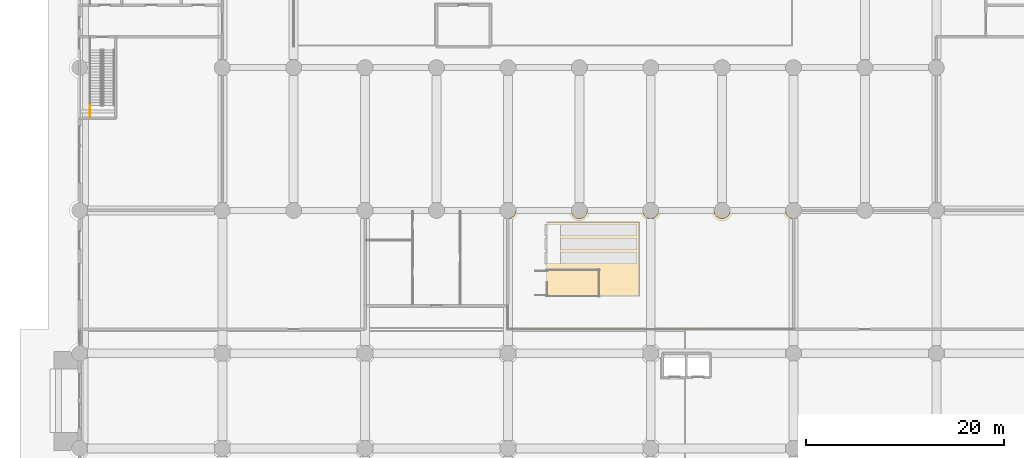
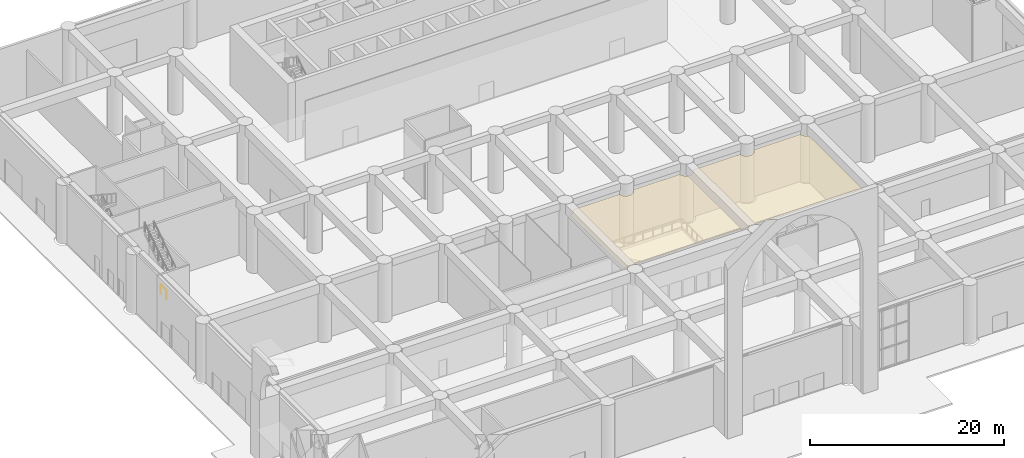
# One storey, part 25 of 32: 1 covering, 1 railing.
"""IFC4 building model written with IfcOpenShell, lengths in metres."""

from ifc_helpers import new_model, si_unit, direction, frame, origin, origin_2d, place, context, subcontext, project, spatial, polyline, circle, outline, extrude, material, layer, layer_set, type_object, element, save


model = new_model("IFC4")

# Units and contexts
model_context = context("Model", 3, precision=1e-05, world=origin(), true_north=direction((0.0, 1.0)))
body_context = subcontext(model_context, "Body", "Model", "MODEL_VIEW")
ifc_project = project(units=[si_unit("LENGTHUNIT", "METRE"), si_unit("AREAUNIT", "SQUARE_METRE"), si_unit("VOLUMEUNIT", "CUBIC_METRE"), si_unit("PLANEANGLEUNIT", "RADIAN"), si_unit("MASSUNIT", "GRAM", prefix="KILO")], contexts=[model_context])

# Site, building, storey
site_placement = place(None, origin())
site = spatial("IfcSite", under=ifc_project, at=site_placement, CompositionType="ELEMENT")
building_placement = place(site_placement, origin())
building = spatial("IfcBuilding", under=site, at=building_placement, Name="Saffron Iwan Residences", CompositionType="ELEMENT")
storey_placement = place(building_placement, origin())
storey = spatial("IfcBuildingStorey", under=building, at=storey_placement, Name="L00", CompositionType="ELEMENT", Elevation=0.0)

# Railing
ifc_material_1 = material(Name="Steel S355", Category="steel")
railing_type = type_object("IfcRailingType", Name="Podium stair guard 1150", PredefinedType="GUARDRAIL", material=ifc_material_1)
railing_placement = place(storey_placement, frame((1.050048828125, 44.199951171875, 3.89990234375)))
element("IfcRailing", 1, at=railing_placement, inside=storey, type_object=railing_type, Name="L00 PS1 stair guard 3", PredefinedType="GUARDRAIL", context=body_context, shape_type="SweptSolid", body=[
    extrude(circle(Radius=0.02392578125, at=origin_2d()), frame((0.0, 0.0, 1.1259765625), z_axis=(0.0, -1.0, 0.0), x_axis=(1.0, 0.0, 0.0)), (0.0, 0.0, 1.0), 1.199951171875),
    extrude(circle(Radius=0.02099609375, at=origin_2d()), origin(), (0.0, 0.0, 1.0), 1.101806640625),
    extrude(circle(Radius=0.02099609375, at=origin_2d()), frame((0.0, -1.199951171875, 0.0)), (0.0, 0.0, 1.0), 1.101806640625),
])

# Covering
ifc_material_2 = material(Name="Plasterboard ceiling")
ifc_layer = layer(ifc_material_2, 0.014892578125)
ifc_layer_set = layer_set([ifc_layer], Name="Plasterboard ceiling")
covering_type = type_object("IfcCoveringType", Name="Suspended ceiling, plasterboard 15", PredefinedType="CEILING", material=ifc_layer_set)
covering_placement = place(storey_placement, frame((0.0, 0.0, 5.885009765625)))
element("IfcCovering", 2, at=covering_placement, inside=storey, type_object=covering_type, Name="Gate line hall ceiling", PredefinedType="CEILING", context=body_context, shape_type="SweptSolid", body=[
    extrude(outline(polyline([(43.300048828125, 32.81005859375), (43.35595703125, 32.81494140625), (43.506103515625, 32.861083984375), (43.64404296875, 32.93505859375), (43.76611328125, 33.033935546875), (43.864990234375, 33.156005859375), (43.93896484375, 33.2939453125), (43.985107421875, 33.444091796875), (43.989990234375, 33.5), (49.610107421875, 33.5), (49.614990234375, 33.444091796875), (49.660888671875, 33.2939453125), (49.735107421875, 33.156005859375), (49.833984375, 33.033935546875), (49.9560546875, 32.93505859375), (50.093994140625, 32.861083984375), (50.243896484375, 32.81494140625), (50.39990234375, 32.800048828125), (50.555908203125, 32.81494140625), (50.7060546875, 32.861083984375), (50.843994140625, 32.93505859375), (50.966064453125, 33.033935546875), (51.06494140625, 33.156005859375), (51.138916015625, 33.2939453125), (51.18505859375, 33.444091796875), (51.18994140625, 33.5), (56.81005859375, 33.5), (56.81494140625, 33.444091796875), (56.861083984375, 33.2939453125), (56.93505859375, 33.156005859375), (57.033935546875, 33.033935546875), (57.156005859375, 32.93505859375), (57.2939453125, 32.861083984375), (57.444091796875, 32.81494140625), (57.60009765625, 32.800048828125), (57.756103515625, 32.81494140625), (57.906005859375, 32.861083984375), (58.0439453125, 32.93505859375), (58.166015625, 33.033935546875), (58.264892578125, 33.156005859375), (58.339111328125, 33.2939453125), (58.385009765625, 33.444091796875), (58.389892578125, 33.5), (64.010009765625, 33.5), (64.014892578125, 33.444091796875), (64.06103515625, 33.2939453125), (64.135009765625, 33.156005859375), (64.23388671875, 33.033935546875), (64.35595703125, 32.93505859375), (64.493896484375, 32.861083984375), (64.64404296875, 32.81494140625), (64.800048828125, 32.800048828125), (64.9560546875, 32.81494140625), (65.10595703125, 32.861083984375), (65.243896484375, 32.93505859375), (65.365966796875, 33.033935546875), (65.465087890625, 33.156005859375), (65.5390625, 33.2939453125), (65.5849609375, 33.444091796875), (65.590087890625, 33.5), (71.2099609375, 33.5), (71.215087890625, 33.444091796875), (71.260986328125, 33.2939453125), (71.3349609375, 33.156005859375), (71.43408203125, 33.033935546875), (71.555908203125, 32.93505859375), (71.694091796875, 32.861083984375), (71.843994140625, 32.81494140625), (71.89990234375, 32.81005859375), (71.89990234375, 21.699951171875), (43.300048828125, 21.699951171875), (43.300048828125, 32.81005859375)])), origin(), (0.0, 0.0, 1.0), 0.014892578125),
])

save(model, "model.ifc")
